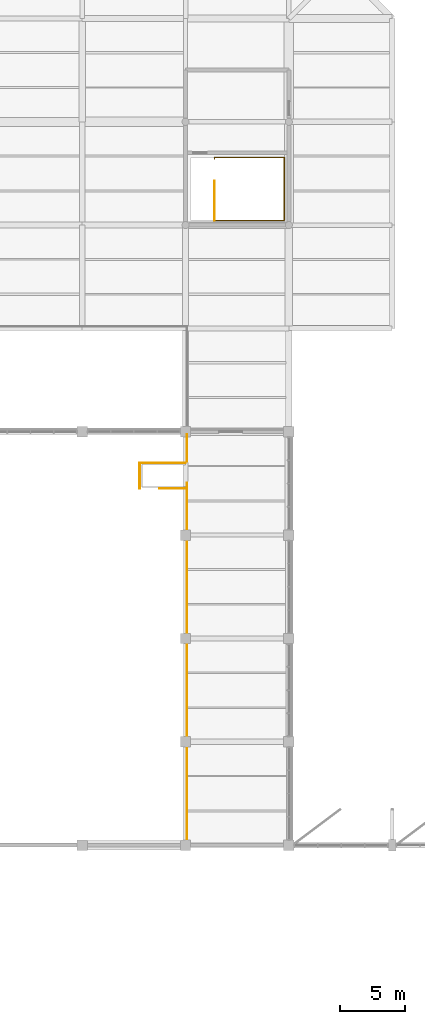
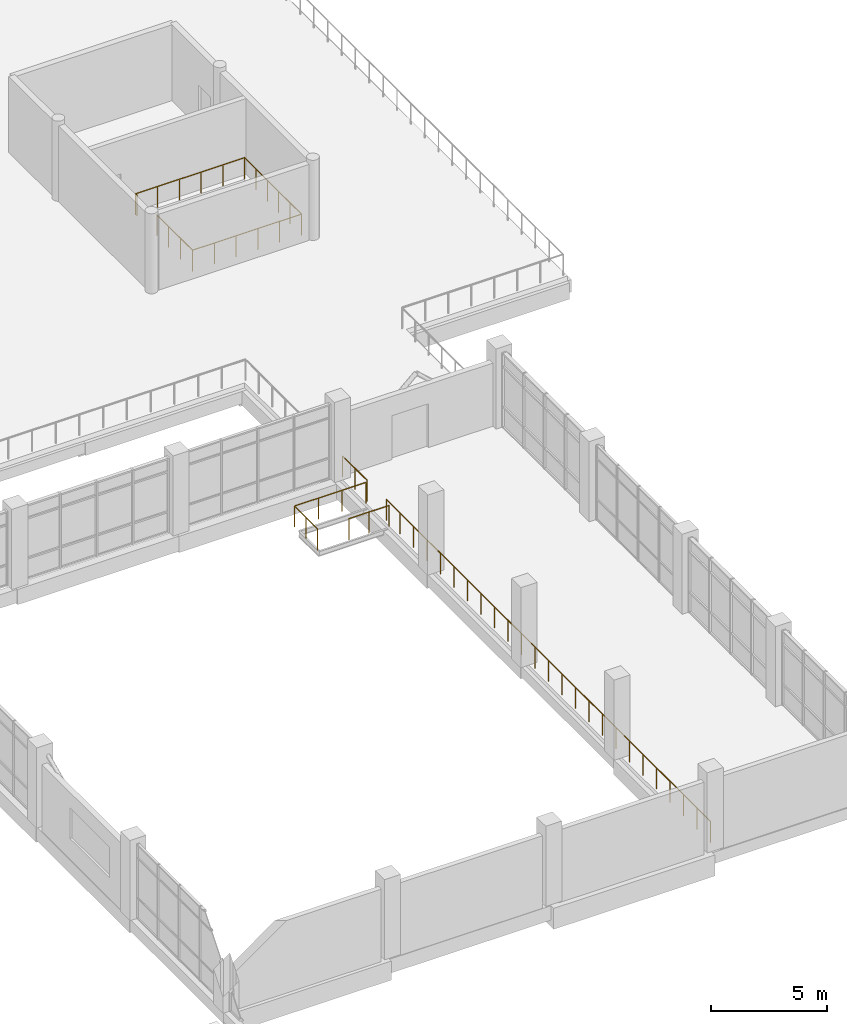
# One storey, part 84 of 84: 6 railings.
"""IFC4 building model written with IfcOpenShell, lengths in metres."""

from ifc_helpers import new_model, si_unit, direction, frame, origin, origin_2d, place, context, subcontext, project, spatial, circle, extrude, material, layer, layer_set, type_object, element, save


model = new_model("IFC4")

# Units and contexts
model_context = context("Model", 3, precision=1e-05, world=origin(), true_north=direction((0.0, 1.0)))
body_context = subcontext(model_context, "Body", "Model", "MODEL_VIEW")
ifc_project = project(units=[si_unit("LENGTHUNIT", "METRE"), si_unit("AREAUNIT", "SQUARE_METRE"), si_unit("VOLUMEUNIT", "CUBIC_METRE"), si_unit("PLANEANGLEUNIT", "RADIAN"), si_unit("MASSUNIT", "GRAM", prefix="KILO")], contexts=[model_context])

# Site, building, storey
site_placement = place(None, origin())
site = spatial("IfcSite", under=ifc_project, at=site_placement, CompositionType="ELEMENT")
building_placement = place(site_placement, origin())
building = spatial("IfcBuilding", under=site, at=building_placement, Name="Tenunan Teduh Sports Hall", CompositionType="ELEMENT")
storey_placement = place(building_placement, frame((0.0, 0.0, 10.800048828125)))
storey = spatial("IfcBuildingStorey", under=building, at=storey_placement, Name="L02", CompositionType="ELEMENT", Elevation=10.800048828125)

# Railings
ifc_material_1 = material(Name="Laminated safety glass and stainless steel", Category="steel")
ifc_layer_1 = layer(ifc_material_1, 0.080078125)
ifc_layer_set_1 = layer_set([ifc_layer_1], Name="Laminated safety glass and stainless steel")
railing_type_1 = type_object("IfcRailingType", Name="RLG-BAL-GLZ", PredefinedType="BALUSTRADE", material=ifc_layer_set_1)
railing_1_placement = place(storey_placement, frame((146.1201171875, 46.199951171875, 0.0)))
element("IfcRailing", 1, at=railing_1_placement, inside=storey, type_object=railing_type_1, Name="RLG-L02-V3-GAL-1", PredefinedType="BALUSTRADE", context=body_context, shape_type="SweptSolid", body=[
    extrude(circle(Radius=0.02392578125, at=origin_2d()), frame((0.0, 0.0, 1.09619140625), z_axis=(0.0, 1.0, 0.0), x_axis=(-1.0, 0.0, 0.0)), (0.0, 0.0, 1.0), 27.85009765625),
    extrude(circle(Radius=0.02099609375, at=origin_2d()), origin(), (0.0, 0.0, 1.0), 1.072021484375),
    extrude(circle(Radius=0.02099609375, at=origin_2d()), frame((0.0, 1.160400390625, 0.0)), (0.0, 0.0, 1.0), 1.072021484375),
    extrude(circle(Radius=0.02099609375, at=origin_2d()), frame((0.0, 2.32080078125, 0.0)), (0.0, 0.0, 1.0), 1.072021484375),
    extrude(circle(Radius=0.02099609375, at=origin_2d()), frame((0.0, 3.481201171875, 0.0)), (0.0, 0.0, 1.0), 1.072021484375),
    extrude(circle(Radius=0.02099609375, at=origin_2d()), frame((0.0, 4.6416015625, 0.0)), (0.0, 0.0, 1.0), 1.072021484375),
    extrude(circle(Radius=0.02099609375, at=origin_2d()), frame((0.0, 5.802001953125, 0.0)), (0.0, 0.0, 1.0), 1.072021484375),
    extrude(circle(Radius=0.02099609375, at=origin_2d()), frame((0.0, 6.96240234375, 0.0)), (0.0, 0.0, 1.0), 1.072021484375),
    extrude(circle(Radius=0.02099609375, at=origin_2d()), frame((0.0, 8.123046875, 0.0)), (0.0, 0.0, 1.0), 1.072021484375),
    extrude(circle(Radius=0.02099609375, at=origin_2d()), frame((0.0, 9.283447265625, 0.0)), (0.0, 0.0, 1.0), 1.072021484375),
    extrude(circle(Radius=0.02099609375, at=origin_2d()), frame((0.0, 10.44384765625, 0.0)), (0.0, 0.0, 1.0), 1.072021484375),
    extrude(circle(Radius=0.02099609375, at=origin_2d()), frame((0.0, 11.604248046875, 0.0)), (0.0, 0.0, 1.0), 1.072021484375),
    extrude(circle(Radius=0.02099609375, at=origin_2d()), frame((0.0, 12.7646484375, 0.0)), (0.0, 0.0, 1.0), 1.072021484375),
    extrude(circle(Radius=0.02099609375, at=origin_2d()), frame((0.0, 13.925048828125, 0.0)), (0.0, 0.0, 1.0), 1.072021484375),
    extrude(circle(Radius=0.02099609375, at=origin_2d()), frame((0.0, 15.08544921875, 0.0)), (0.0, 0.0, 1.0), 1.072021484375),
    extrude(circle(Radius=0.02099609375, at=origin_2d()), frame((0.0, 16.245849609375, 0.0)), (0.0, 0.0, 1.0), 1.072021484375),
    extrude(circle(Radius=0.02099609375, at=origin_2d()), frame((0.0, 17.40625, 0.0)), (0.0, 0.0, 1.0), 1.072021484375),
    extrude(circle(Radius=0.02099609375, at=origin_2d()), frame((0.0, 18.566650390625, 0.0)), (0.0, 0.0, 1.0), 1.072021484375),
    extrude(circle(Radius=0.02099609375, at=origin_2d()), frame((0.0, 19.72705078125, 0.0)), (0.0, 0.0, 1.0), 1.072021484375),
    extrude(circle(Radius=0.02099609375, at=origin_2d()), frame((0.0, 20.8876953125, 0.0)), (0.0, 0.0, 1.0), 1.072021484375),
    extrude(circle(Radius=0.02099609375, at=origin_2d()), frame((0.0, 22.048095703125, 0.0)), (0.0, 0.0, 1.0), 1.072021484375),
    extrude(circle(Radius=0.02099609375, at=origin_2d()), frame((0.0, 23.20849609375, 0.0)), (0.0, 0.0, 1.0), 1.072021484375),
    extrude(circle(Radius=0.02099609375, at=origin_2d()), frame((0.0, 24.368896484375, 0.0)), (0.0, 0.0, 1.0), 1.072021484375),
    extrude(circle(Radius=0.02099609375, at=origin_2d()), frame((0.0, 25.529296875, 0.0)), (0.0, 0.0, 1.0), 1.072021484375),
    extrude(circle(Radius=0.02099609375, at=origin_2d()), frame((0.0, 26.689697265625, 0.0)), (0.0, 0.0, 1.0), 1.072021484375),
    extrude(circle(Radius=0.02099609375, at=origin_2d()), frame((0.0, 27.85009765625, 0.0)), (0.0, 0.0, 1.0), 1.072021484375),
])
railing_2_placement = place(storey_placement, frame((146.1201171875, 75.699951171875, 0.0)))
element("IfcRailing", 2, at=railing_2_placement, inside=storey, type_object=railing_type_1, Name="RLG-L02-V3-GAL-2", PredefinedType="BALUSTRADE", context=body_context, shape_type="SweptSolid", body=[
    extrude(circle(Radius=0.02392578125, at=origin_2d()), frame((0.0, 0.0, 1.09619140625), z_axis=(0.0, 1.0, 0.0), x_axis=(-1.0, 0.0, 0.0)), (0.0, 0.0, 1.0), 2.10009765625),
    extrude(circle(Radius=0.02099609375, at=origin_2d()), origin(), (0.0, 0.0, 1.0), 1.072021484375),
    extrude(circle(Radius=0.02099609375, at=origin_2d()), frame((0.0, 1.050048828125, 0.0)), (0.0, 0.0, 1.0), 1.072021484375),
    extrude(circle(Radius=0.02099609375, at=origin_2d()), frame((0.0, 2.10009765625, 0.0)), (0.0, 0.0, 1.0), 1.072021484375),
])
ifc_material_2 = material(Name="Galvanised and powder-coated steel", Category="steel")
ifc_layer_2 = layer(ifc_material_2, 0.070068359375)
ifc_layer_set_2 = layer_set([ifc_layer_2], Name="Galvanised and powder-coated steel")
railing_type_2 = type_object("IfcRailingType", Name="RLG-EXT-GRD", PredefinedType="GUARDRAIL", material=ifc_layer_set_2)
railing_3_placement = place(storey_placement, frame((148.239990234375, 94.360107421875, 0.0)))
element("IfcRailing", 3, at=railing_3_placement, inside=storey, type_object=railing_type_2, Name="RLG-STW-WLND-E2-L01", PredefinedType="GUARDRAIL", context=body_context, shape_type="SweptSolid", body=[
    extrude(circle(Radius=0.02392578125, at=origin_2d()), frame((0.0, 0.0, 1.09619140625), z_axis=(0.0, 1.0, 0.0), x_axis=(-1.0, 0.0, 0.0)), (0.0, 0.0, 1.0), 3.06982421875),
    extrude(circle(Radius=0.02099609375, at=origin_2d()), origin(), (0.0, 0.0, 1.0), 1.072021484375),
    extrude(circle(Radius=0.02099609375, at=origin_2d()), frame((0.0, 1.023193359375, 0.0)), (0.0, 0.0, 1.0), 1.072021484375),
    extrude(circle(Radius=0.02099609375, at=origin_2d()), frame((0.0, 2.046630859375, 0.0)), (0.0, 0.0, 1.0), 1.072021484375),
    extrude(circle(Radius=0.02099609375, at=origin_2d()), frame((0.0, 3.06982421875, 0.0)), (0.0, 0.0, 1.0), 1.072021484375),
])
railing_4_placement = place(storey_placement, frame((148.239990234375, 94.360107421875, 0.0)))
element("IfcRailing", 4, at=railing_4_placement, inside=storey, type_object=railing_type_2, Name="RLG-STW-TOP-E2-L02", PredefinedType="GUARDRAIL", context=body_context, shape_type="SweptSolid", body=[
    extrude(circle(Radius=0.02392578125, at=origin_2d()), frame((0.0, 0.0, 1.09619140625), z_axis=(1.0, 0.0, 0.0), x_axis=(0.0, 1.0, 0.0)), (0.0, 0.0, 1.0), 5.39990234375),
    extrude(circle(Radius=0.02392578125, at=origin_2d()), frame((5.39990234375, 0.0, 1.09619140625), z_axis=(0.0, 1.0, 0.0), x_axis=(-1.0, 0.0, 0.0)), (0.0, 0.0, 1.0), 4.8798828125),
    extrude(circle(Radius=0.02392578125, at=origin_2d()), frame((5.39990234375, 4.8798828125, 1.09619140625), z_axis=(-1.0, 0.0, 0.0), x_axis=(0.0, -1.0, 0.0)), (0.0, 0.0, 1.0), 5.39990234375),
    extrude(circle(Radius=0.02392578125, at=origin_2d()), frame((0.0, 4.8798828125, 1.09619140625), z_axis=(0.0, -1.0, 0.0), x_axis=(1.0, 0.0, 0.0)), (0.0, 0.0, 1.0), 0.110107421875),
    extrude(circle(Radius=0.02099609375, at=origin_2d()), origin(), (0.0, 0.0, 1.0), 1.072021484375),
    extrude(circle(Radius=0.02099609375, at=origin_2d()), frame((1.080078125, 0.0, 0.0)), (0.0, 0.0, 1.0), 1.072021484375),
    extrude(circle(Radius=0.02099609375, at=origin_2d()), frame((2.159912109375, 0.0, 0.0)), (0.0, 0.0, 1.0), 1.072021484375),
    extrude(circle(Radius=0.02099609375, at=origin_2d()), frame((3.239990234375, 0.0, 0.0)), (0.0, 0.0, 1.0), 1.072021484375),
    extrude(circle(Radius=0.02099609375, at=origin_2d()), frame((4.31982421875, 0.0, 0.0)), (0.0, 0.0, 1.0), 1.072021484375),
    extrude(circle(Radius=0.02099609375, at=origin_2d()), frame((5.39990234375, 0.0, 0.0)), (0.0, 0.0, 1.0), 1.072021484375),
    extrude(circle(Radius=0.02099609375, at=origin_2d()), frame((5.39990234375, 0.97607421875, 0.0)), (0.0, 0.0, 1.0), 1.072021484375),
    extrude(circle(Radius=0.02099609375, at=origin_2d()), frame((5.39990234375, 1.951904296875, 0.0)), (0.0, 0.0, 1.0), 1.072021484375),
    extrude(circle(Radius=0.02099609375, at=origin_2d()), frame((5.39990234375, 2.927978515625, 0.0)), (0.0, 0.0, 1.0), 1.072021484375),
    extrude(circle(Radius=0.02099609375, at=origin_2d()), frame((5.39990234375, 3.90380859375, 0.0)), (0.0, 0.0, 1.0), 1.072021484375),
    extrude(circle(Radius=0.02099609375, at=origin_2d()), frame((5.39990234375, 4.8798828125, 0.0)), (0.0, 0.0, 1.0), 1.072021484375),
    extrude(circle(Radius=0.02099609375, at=origin_2d()), frame((4.31982421875, 4.8798828125, 0.0)), (0.0, 0.0, 1.0), 1.072021484375),
    extrude(circle(Radius=0.02099609375, at=origin_2d()), frame((3.239990234375, 4.8798828125, 0.0)), (0.0, 0.0, 1.0), 1.072021484375),
    extrude(circle(Radius=0.02099609375, at=origin_2d()), frame((2.159912109375, 4.8798828125, 0.0)), (0.0, 0.0, 1.0), 1.072021484375),
    extrude(circle(Radius=0.02099609375, at=origin_2d()), frame((1.080078125, 4.8798828125, 0.0)), (0.0, 0.0, 1.0), 1.072021484375),
    extrude(circle(Radius=0.02099609375, at=origin_2d()), frame((0.0, 4.8798828125, 0.0)), (0.0, 0.0, 1.0), 1.072021484375),
    extrude(circle(Radius=0.02099609375, at=origin_2d()), frame((0.0, 4.769775390625, 0.0)), (0.0, 0.0, 1.0), 1.072021484375),
])
railing_5_placement = place(storey_placement, frame((142.4599609375, 73.60009765625, 0.0)))
element("IfcRailing", 5, at=railing_5_placement, inside=storey, type_object=railing_type_2, Name="RLG-STR-VOM-CL2-GL", PredefinedType="GUARDRAIL", context=body_context, shape_type="SweptSolid", body=[
    extrude(circle(Radius=0.02392578125, at=origin_2d()), frame((0.0, 0.0, 1.09619140625), z_axis=(0.0, 1.0, 0.0), x_axis=(-1.0, 0.0, 0.0)), (0.0, 0.0, 1.0), 1.989990234375),
    extrude(circle(Radius=0.02392578125, at=origin_2d()), frame((0.0, 1.989990234375, 1.09619140625), z_axis=(1.0, 0.0, 0.0), x_axis=(0.0, 1.0, 0.0)), (0.0, 0.0, 1.0), 3.5400390625),
    extrude(circle(Radius=0.02099609375, at=origin_2d()), origin(), (0.0, 0.0, 1.0), 1.072021484375),
    extrude(circle(Radius=0.02099609375, at=origin_2d()), frame((0.0, 0.9951171875, 0.0)), (0.0, 0.0, 1.0), 1.072021484375),
    extrude(circle(Radius=0.02099609375, at=origin_2d()), frame((0.0, 1.989990234375, 0.0)), (0.0, 0.0, 1.0), 1.072021484375),
    extrude(circle(Radius=0.02099609375, at=origin_2d()), frame((1.179931640625, 1.989990234375, 0.0)), (0.0, 0.0, 1.0), 1.072021484375),
    extrude(circle(Radius=0.02099609375, at=origin_2d()), frame((2.360107421875, 1.989990234375, 0.0)), (0.0, 0.0, 1.0), 1.072021484375),
    extrude(circle(Radius=0.02099609375, at=origin_2d()), frame((3.5400390625, 1.989990234375, 0.0)), (0.0, 0.0, 1.0), 1.072021484375),
])
railing_6_placement = place(storey_placement, frame((144.0, 73.60009765625, 0.0)))
element("IfcRailing", 6, at=railing_6_placement, inside=storey, type_object=railing_type_2, Name="RLG-STR-VOM-CL2-GR", PredefinedType="GUARDRAIL", context=body_context, shape_type="SweptSolid", body=[
    extrude(circle(Radius=0.02392578125, at=origin_2d()), frame((0.0, 0.0, 1.09619140625), z_axis=(1.0, 0.0, 0.0), x_axis=(0.0, 1.0, 0.0)), (0.0, 0.0, 1.0), 2.0),
    extrude(circle(Radius=0.02099609375, at=origin_2d()), origin(), (0.0, 0.0, 1.0), 1.072021484375),
    extrude(circle(Radius=0.02099609375, at=origin_2d()), frame((1.0, 0.0, 0.0)), (0.0, 0.0, 1.0), 1.072021484375),
    extrude(circle(Radius=0.02099609375, at=origin_2d()), frame((2.0, 0.0, 0.0)), (0.0, 0.0, 1.0), 1.072021484375),
])

save(model, "model.ifc")
